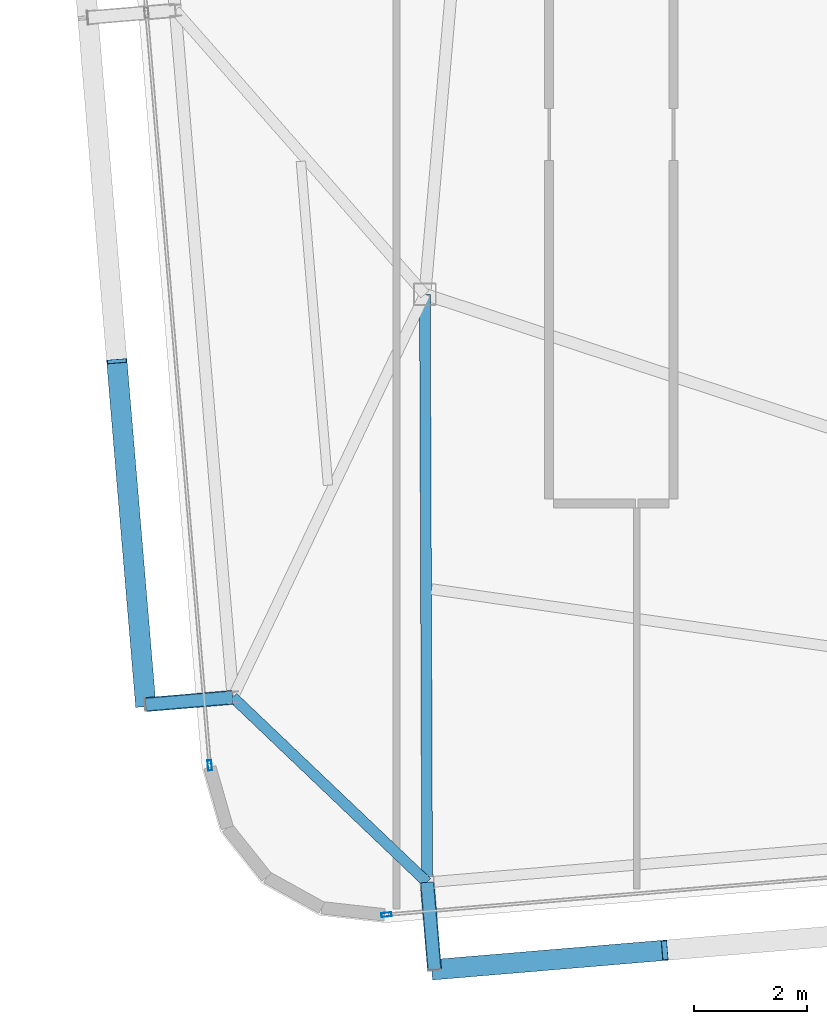
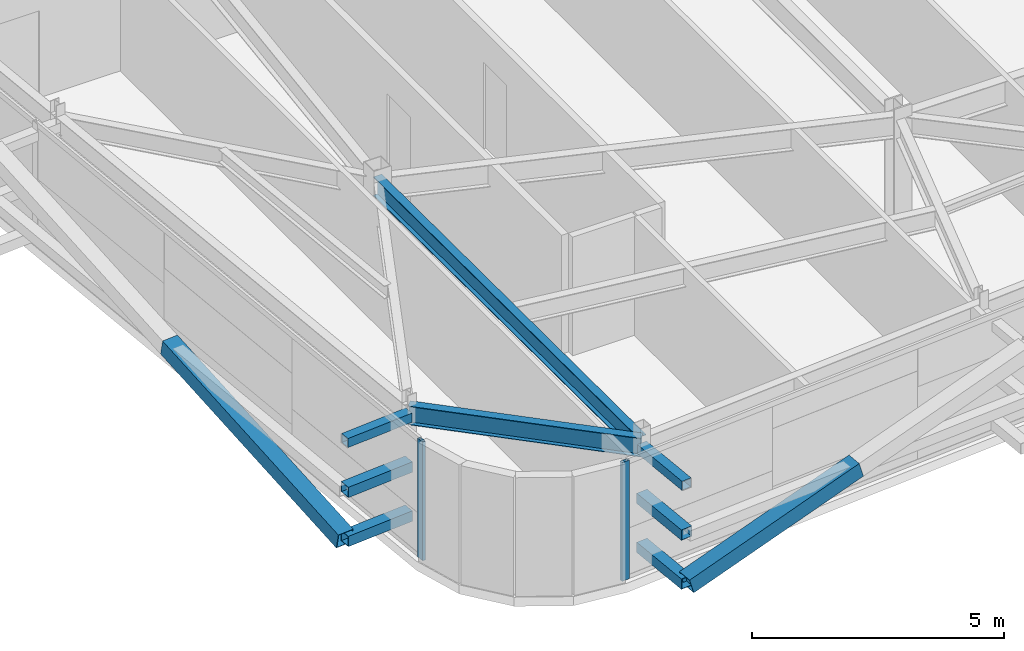
# One storey, part 7 of 39: 10 members, 2 beams, 2 elements without a shape of their own.
"""IFC4 building model written with IfcOpenShell, lengths in metres."""

from ifc_helpers import new_model, si_unit, direction, frame, origin, origin_2d, place, context, subcontext, project, spatial, hollow_rectangle, i_section, extrude, source, transform, mapped, material, layer, layer_set, material_profile, profile_set, type_object, element, aggregate, save


model = new_model("IFC4")

# Units and contexts
model_context = context("Model", 3, precision=1e-05, world=origin(), true_north=direction((0.0, 1.0)))
body_context = subcontext(model_context, "Body", "Model", "MODEL_VIEW")
ifc_project = project(units=[si_unit("LENGTHUNIT", "METRE"), si_unit("AREAUNIT", "SQUARE_METRE"), si_unit("VOLUMEUNIT", "CUBIC_METRE"), si_unit("PLANEANGLEUNIT", "RADIAN"), si_unit("MASSUNIT", "GRAM", prefix="KILO")], contexts=[model_context])

# Site, building, storey
site_placement = place(None, origin())
site = spatial("IfcSite", under=ifc_project, at=site_placement, CompositionType="ELEMENT")
building_placement = place(site_placement, origin())
building = spatial("IfcBuilding", under=site, at=building_placement, Name="Taldren Reach Tower", CompositionType="ELEMENT")
storey_placement = place(building_placement, frame((0.0, 0.0, 204.050048828125)))
storey = spatial("IfcBuildingStorey", under=building, at=storey_placement, Name="L62", CompositionType="ELEMENT", Elevation=204.050048828125)

# Members
ifc_material_1 = material(Name="Steel Gr 350 (C350L0)", Category="steel")
ifc_material_profile_1 = material_profile(ifc_material_1, hollow_rectangle(XDim=0.25, YDim=0.25, WallThickness=0.010009765625, at=origin_2d()), Name="250x250x10.0SHS")
ifc_profile_set_1 = profile_set([ifc_material_profile_1], Name="Steel Gr 350 (C350L0)")
member_type_1 = type_object("IfcMemberType", Name="MB-POST250", PredefinedType="POST", material=ifc_profile_set_1)
shared_shape_1 = source(origin(), body_context, "Body", "SweptSolid", [
    extrude(hollow_rectangle(XDim=0.25, YDim=0.25, WallThickness=0.010009765625, at=origin_2d()), origin(), (0.0, 0.0, 1.0), 1.5498046875),
])
for number, where, z_axis, x_axis, name in (
    (1, (18.03955078125, 2.093994140625, 0.219970703125), (0.083801560254, -0.996482462715, 0.0), (0.996482462715, 0.083801560254, 0.0), "Exoskeleton base diaphragm tie strut B4-S1 L62"),
    (2, (18.03955078125, 2.093994140625, 1.405029296875), (0.083801560254, -0.996482462715, 0.0), (0.996482462715, 0.083801560254, 0.0), "Exoskeleton mid-tier diaphragm tie B4-S1 L62"),
):
    element("IfcMember", number, at=place(storey_placement, frame(where, z_axis=z_axis, x_axis=x_axis)), inside=storey, type_object=member_type_1, Name=name, PredefinedType="POST", context=body_context, shape_type="MappedRepresentation", body=[
        mapped(shared_shape_1, transform((0.0, 0.0, 0.0), scale=1.0)),
    ])

# Beams
ifc_material_2 = material(Name="Steel Gr 350 (350PLUS)", Category="steel")
ifc_material_profile_2 = material_profile(ifc_material_2, i_section(OverallWidth=0.18994140625, OverallDepth=0.4541015625, WebThickness=0.008544921875, FlangeThickness=0.0126953125, at=origin_2d()), Name="460UB67.1")
ifc_profile_set_2 = profile_set([ifc_material_profile_2], Name="Steel Gr 350 (350PLUS)")
beam_type_1 = type_object("IfcBeamType", Name="SP-UB460B", PredefinedType="SPANDREL", material=ifc_profile_set_2)
shared_shape_2 = source(origin(), body_context, "Body", "SweptSolid", [
    extrude(i_section(OverallWidth=0.18994140625, OverallDepth=0.4541015625, WebThickness=0.008544921875, FlangeThickness=0.0126953125, at=origin_2d()), origin(), (0.0, 0.0, 1.0), 4.745849609375),
])
beam_1_placement = place(storey_placement, frame((14.603759765625, 5.367919921875, 2.64306640625), z_axis=(0.723954399605, -0.689847829084, 0.0), x_axis=(0.689847829084, 0.723954399605, 0.0)))
element("IfcBeam", 3, at=beam_1_placement, inside=storey, type_object=beam_type_1, Name="Perimeter spandrel B4 W1-S1 L62", PredefinedType="SPANDREL", context=body_context, shape_type="MappedRepresentation", body=[
    mapped(shared_shape_2, transform((0.0, 0.0, 0.0), scale=1.0)),
])
ifc_material_profile_3 = material_profile(ifc_material_2, i_section(OverallWidth=0.19091796875, OverallDepth=0.4599609375, WebThickness=0.010009765625, FlangeThickness=0.01611328125, at=origin_2d()), Name="460UB82.1")
ifc_profile_set_3 = profile_set([ifc_material_profile_3], Name="Steel Gr 350 (350PLUS)")
beam_type_2 = type_object("IfcBeamType", Name="BM-UB460A", PredefinedType="BEAM", material=ifc_profile_set_3)
shared_shape_3 = source(origin(), body_context, "Body", "SweptSolid", [
    extrude(i_section(OverallWidth=0.19091796875, OverallDepth=0.4599609375, WebThickness=0.010009765625, FlangeThickness=0.01611328125, at=origin_2d()), origin(), (0.0, 0.0, 1.0), 10.406005859375),
])
beam_2_placement = place(storey_placement, frame((18.0, 12.5, 2.639892578125), z_axis=(0.003800737393, -0.999992777172, 0.0), x_axis=(0.999992777172, 0.003800737393, 0.0)))
element("IfcBeam", 4, at=beam_2_placement, inside=storey, type_object=beam_type_2, Name="Primary floor girder B4-S1 L62", PredefinedType="BEAM", context=body_context, shape_type="MappedRepresentation", body=[
    mapped(shared_shape_3, transform((0.0, 0.0, 0.0), scale=1.0)),
])

# Members
ifc_material_3 = material(Name="Steel Gr 450 (C450L0)", Category="steel")
ifc_material_profile_4 = material_profile(ifc_material_3, hollow_rectangle(XDim=0.219970703125, YDim=0.219970703125, WallThickness=0.00830078125, at=origin_2d()), Name="220x220x8.2SHS")
ifc_profile_set_4 = profile_set([ifc_material_profile_4], Name="Steel Gr 450 (C450L0)")
member_type_2 = type_object("IfcMemberType", Name="MB-TIE219", PredefinedType="STRUT", material=ifc_profile_set_4)
shared_shape_4 = source(origin(), body_context, "Body", "SweptSolid", [
    extrude(hollow_rectangle(XDim=0.219970703125, YDim=0.219970703125, WallThickness=0.00830078125, at=origin_2d()), origin(), (0.0, 0.0, 1.0), 1.5498046875),
])
member_1_placement = place(storey_placement, frame((18.03955078125, 2.093994140625, 2.58984375), z_axis=(0.083801560254, -0.996482462715, 0.0), x_axis=(0.996482462715, 0.083801560254, 0.0)))
element("IfcMember", 5, at=member_1_placement, inside=storey, type_object=member_type_2, Name="Exoskeleton diaphragm tie strut B4-S1 L62", PredefinedType="STRUT", context=body_context, shape_type="MappedRepresentation", body=[
    mapped(shared_shape_4, transform((0.0, 0.0, 0.0), scale=1.0)),
])
shared_shape_5 = source(origin(), body_context, "Body", "SweptSolid", [
    extrude(hollow_rectangle(XDim=0.219970703125, YDim=0.219970703125, WallThickness=0.00830078125, at=origin_2d()), origin(), (0.0, 0.0, 1.0), 1.54541015625),
])
member_2_placement = place(storey_placement, frame((14.59912109375, 5.36767578125, 2.58984375), z_axis=(-0.99648887425, -0.083725285883, 0.0), x_axis=(0.083725285883, -0.99648887425, 0.0)))
element("IfcMember", 6, at=member_2_placement, inside=storey, type_object=member_type_2, Name="Exoskeleton diaphragm tie strut B4-W1 L62", PredefinedType="STRUT", context=body_context, shape_type="MappedRepresentation", body=[
    mapped(shared_shape_5, transform((0.0, 0.0, 0.0), scale=1.0)),
])
shared_shape_6 = source(origin(), body_context, "Body", "SweptSolid", [
    extrude(hollow_rectangle(XDim=0.25, YDim=0.25, WallThickness=0.010009765625, at=origin_2d()), origin(), (0.0, 0.0, 1.0), 1.54541015625),
])
for number, where, z_axis, x_axis, name in (
    (7, (14.59912109375, 5.36767578125, 0.219970703125), (-0.99648887425, -0.083725285883, 0.0), (0.083725285883, -0.99648887425, 0.0), "Exoskeleton base diaphragm tie strut B4-W1 L62"),
    (8, (14.59912109375, 5.36767578125, 1.405029296875), (-0.99648887425, -0.083725285883, 0.0), (0.083725285883, -0.99648887425, 0.0), "Exoskeleton mid-tier diaphragm tie B4-W1 L62"),
):
    element("IfcMember", number, at=place(storey_placement, frame(where, z_axis=z_axis, x_axis=x_axis)), inside=storey, type_object=member_type_1, Name=name, PredefinedType="POST", context=body_context, shape_type="MappedRepresentation", body=[
        mapped(shared_shape_6, transform((0.0, 0.0, 0.0), scale=1.0)),
    ])
ifc_material_profile_5 = material_profile(ifc_material_3, hollow_rectangle(XDim=0.360107421875, YDim=0.360107421875, WallThickness=0.0126953125, at=origin_2d()), Name="360x360x12.7SHS")
ifc_profile_set_5 = profile_set([ifc_material_profile_5], Name="Steel Gr 450 (C450L0)")
member_type_3 = type_object("IfcMemberType", Name="MB-EXO356", PredefinedType="BRACE", material=ifc_profile_set_5)
shared_shape_7 = source(origin(), body_context, "Body", "SweptSolid", [
    extrude(hollow_rectangle(XDim=0.360107421875, YDim=0.360107421875, WallThickness=0.0126953125, at=origin_2d()), origin(), (0.0, 0.0, 1.0), 4.25830078125),
])
member_3_placement = place(storey_placement, frame((18.16943359375, 0.549560546875, 0.219970703125), z_axis=(0.957130128655, 0.080324626228, 0.278298169671), x_axis=(-0.083628388178, 0.996497010879, 0.0)))
element("IfcMember", 9, at=member_3_placement, inside=storey, type_object=member_type_3, Name="Exoskeleton Diagrid Brace B4-S1 L62", PredefinedType="BRACE", context=body_context, shape_type="MappedRepresentation", body=[
    mapped(shared_shape_7, transform((0.0, 0.0, 0.0), scale=1.0)),
])
shared_shape_8 = source(origin(), body_context, "Body", "SweptSolid", [
    extrude(hollow_rectangle(XDim=0.360107421875, YDim=0.360107421875, WallThickness=0.0126953125, at=origin_2d()), origin(), (0.0, 0.0, 1.0), 6.214111328125),
])
member_4_placement = place(storey_placement, frame((13.05908203125, 5.23828125, 0.219970703125), z_axis=(-0.082152126962, 0.978203566279, 0.190706085257), x_axis=(-0.996492003099, -0.083688038336, 0.0)))
element("IfcMember", 10, at=member_4_placement, inside=storey, type_object=member_type_3, Name="Exoskeleton Diagrid Brace B4-W1 L62", PredefinedType="BRACE", context=body_context, shape_type="MappedRepresentation", body=[
    mapped(shared_shape_8, transform((0.0, 0.0, 0.0), scale=1.0)),
])

# Curtain wall, member
ifc_material_4 = material(Name="Aluminium and Low-E Glass Unitised System", Category="aluminium")
ifc_layer = layer(ifc_material_4, 0.159912109375)
ifc_layer_set = layer_set([ifc_layer], Name="Aluminium and Low-E Glass Unitised System")
curtain_wall_type = type_object("IfcCurtainWallType", Name="CW-SYS-5", PredefinedType="NOTDEFINED", material=ifc_layer_set)
curtain_wall_1_placement = place(storey_placement, origin())
curtain_wall_1 = element("IfcCurtainWall", 11, at=curtain_wall_1_placement, inside=storey, type_object=curtain_wall_type, Name="Unitised curtain wall CW-L62-S", PredefinedType="NOTDEFINED")
ifc_material_5 = material(Name="Anodised Aluminium 6063-T6", Category="aluminium")
ifc_material_profile_6 = material_profile(ifc_material_5, hollow_rectangle(XDim=0.070068359375, YDim=0.179931640625, WallThickness=0.00390625, at=origin_2d()), Name="ALU-180x70x4RHS")
ifc_profile_set_6 = profile_set([ifc_material_profile_6], Name="Anodised Aluminium 6063-T6")
member_type_4 = type_object("IfcMemberType", Name="CW-MUL-180", PredefinedType="MULLION", material=ifc_profile_set_6)
shared_shape_9 = source(origin(), body_context, "Body", "SweptSolid", [
    extrude(hollow_rectangle(XDim=0.070068359375, YDim=0.179931640625, WallThickness=0.00390625, at=origin_2d()), origin(), (0.0, 0.0, 1.0), 2.869873046875),
])
member_5_placement = place(storey_placement, frame((17.320068359375, 1.521728515625, 0.0), z_axis=(0.0, 0.0, 1.0), x_axis=(-0.083677894865, 0.996492854922, 0.0)))
member_5 = element("IfcMember", 12, at=member_5_placement, type_object=member_type_4, Name="CW-5 mullion 1", PredefinedType="MULLION", context=body_context, shape_type="MappedRepresentation", body=[
    mapped(shared_shape_9, transform((0.0, 0.0, 0.0), scale=1.0)),
])
aggregate(curtain_wall_1, [member_5])

curtain_wall_2_placement = place(storey_placement, origin())
curtain_wall_2 = element("IfcCurtainWall", 13, at=curtain_wall_2_placement, inside=storey, type_object=curtain_wall_type, Name="Unitised curtain wall CW-L62-W", PredefinedType="NOTDEFINED")
member_6_placement = place(storey_placement, frame((14.19287109375, 4.164306640625, 0.0), z_axis=(0.0, 0.0, 1.0), x_axis=(0.996492847789, 0.083677979808, 0.0)))
member_6 = element("IfcMember", 14, at=member_6_placement, type_object=member_type_4, Name="CW-5 mullion 3", PredefinedType="MULLION", context=body_context, shape_type="MappedRepresentation", body=[
    mapped(shared_shape_9, transform((0.0, 0.0, 0.0), scale=1.0)),
])
aggregate(curtain_wall_2, [member_6])

save(model, "model.ifc")
